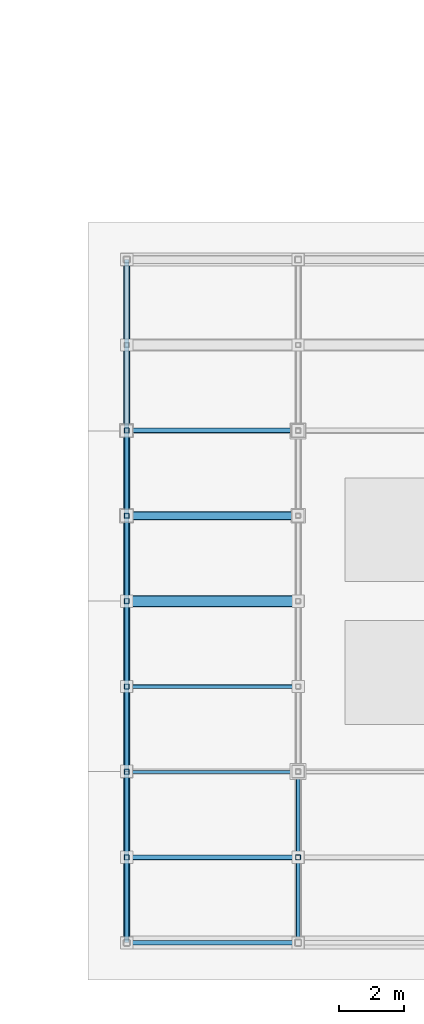
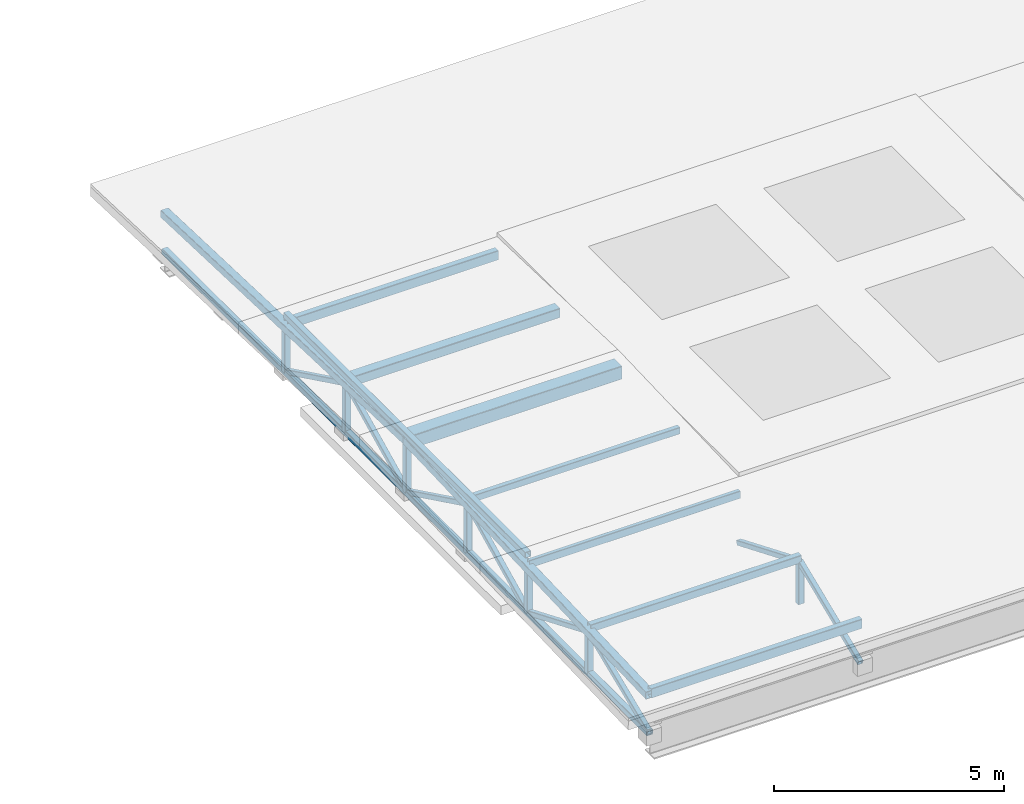
# One storey, part 1 of 25: 22 members, 4 beams.
"""IFC4 building model written with IfcOpenShell, lengths in metres."""

from ifc_helpers import new_model, si_unit, direction, frame, origin, origin_2d, place, context, subcontext, project, spatial, hollow_rectangle, extrude, material, material_profile, profile_set, type_object, element, save


model = new_model("IFC4")

# Units and contexts
model_context = context("Model", 3, precision=1e-05, world=origin(), true_north=direction((0.0, 1.0)))
body_context = subcontext(model_context, "Body", "Model", "MODEL_VIEW")
ifc_project = project(units=[si_unit("LENGTHUNIT", "METRE"), si_unit("AREAUNIT", "SQUARE_METRE"), si_unit("VOLUMEUNIT", "CUBIC_METRE"), si_unit("PLANEANGLEUNIT", "RADIAN"), si_unit("MASSUNIT", "GRAM", prefix="KILO"), si_unit("THERMODYNAMICTEMPERATUREUNIT", "KELVIN"), si_unit("POWERUNIT", "WATT")], contexts=[model_context])

# Site, building, storey
site_placement = place(None, origin())
site = spatial("IfcSite", under=ifc_project, at=site_placement, CompositionType="ELEMENT")
building_placement = place(site_placement, origin())
building = spatial("IfcBuilding", under=site, at=building_placement, Name="Zelmaris Science Centre", CompositionType="ELEMENT")
storey_placement = place(building_placement, frame((0.0, 0.0, 30.0)))
storey = spatial("IfcBuildingStorey", under=building, at=storey_placement, Name="RF", CompositionType="ELEMENT", Elevation=30.0)

# Beams
ifc_material = material(Name="Steel ASTM A500 Grade C", Category="steel")
ifc_material_profile_1 = material_profile(ifc_material, hollow_rectangle(XDim=0.203125, YDim=0.203125, WallThickness=0.01171875, InnerFilletRadius=0.01171875, OuterFilletRadius=0.023681640625, at=origin_2d()), Name="HSS203X203X13")
ifc_profile_set_1 = profile_set([ifc_material_profile_1], Name="Steel ASTM A500 Grade C")
beam_type_1 = type_object("IfcBeamType", Name="Beam G-20 HSS203X203X13", PredefinedType="BEAM", material=ifc_profile_set_1)
for number, where, z_axis, x_axis, name in (
    (1, (70.464111328125, 25.464111328125, 1.34814453125), (0.0, 0.99934977862, 0.036055789719), (-1.0, 0.0, 0.0), "RF-V2 Roof truss 1 south top chord"),
    (2, (70.464111328125, 36.0, 1.728271484375), (0.0, 0.99934977862, -0.036055789719), (-1.0, 0.0, 0.0), "RF-V2 Roof truss 1 north top chord"),
):
    element("IfcBeam", number, at=place(storey_placement, frame(where, z_axis=z_axis, x_axis=x_axis)), inside=storey, type_object=beam_type_1, Name=name, PredefinedType="BEAM", context=body_context, shape_type="SweptSolid", body=[
        extrude(hollow_rectangle(XDim=0.203125, YDim=0.203125, WallThickness=0.01171875, InnerFilletRadius=0.01171875, OuterFilletRadius=0.023681640625, at=origin_2d()), origin(), (0.0, 0.0, 1.0), 10.542724609375),
    ])
ifc_material_profile_2 = material_profile(ifc_material, hollow_rectangle(XDim=0.15234375, YDim=0.15234375, WallThickness=0.0087890625, InnerFilletRadius=0.0087890625, OuterFilletRadius=0.017822265625, at=origin_2d()), Name="HSS152X152X10")
ifc_profile_set_2 = profile_set([ifc_material_profile_2], Name="Steel ASTM A500 Grade C")
beam_type_2 = type_object("IfcBeamType", Name="Beam G-21 HSS152X152X10", PredefinedType="BEAM", material=ifc_profile_set_2)
beam_1_placement = place(storey_placement, frame((70.464111328125, 25.464111328125, 0.34814453125), z_axis=(0.0, 1.0, 0.0), x_axis=(-1.0, 0.0, 0.0)))
element("IfcBeam", 3, at=beam_1_placement, inside=storey, type_object=beam_type_2, Name="RF-V2 Roof truss 1 bottom chord", PredefinedType="BEAM", context=body_context, shape_type="SweptSolid", body=[
    extrude(hollow_rectangle(XDim=0.15234375, YDim=0.15234375, WallThickness=0.0087890625, InnerFilletRadius=0.0087890625, OuterFilletRadius=0.017822265625, at=origin_2d()), origin(), (0.0, 0.0, 1.0), 21.07177734375),
])
beam_2_placement = place(storey_placement, frame((70.464111328125, 30.75, 1.860107421875), z_axis=(0.0, 1.0, 0.0), x_axis=(-1.0, 0.0, 0.0)))
element("IfcBeam", 4, at=beam_2_placement, inside=storey, type_object=beam_type_2, Name="RF-V2 Lantern transverse header 1", PredefinedType="BEAM", context=body_context, shape_type="SweptSolid", body=[
    extrude(hollow_rectangle(XDim=0.15234375, YDim=0.15234375, WallThickness=0.0087890625, InnerFilletRadius=0.0087890625, OuterFilletRadius=0.017822265625, at=origin_2d()), origin(), (0.0, 0.0, 1.0), 10.5),
])

# Members
ifc_material_profile_3 = material_profile(ifc_material, hollow_rectangle(XDim=0.15234375, YDim=0.25390625, WallThickness=0.0087890625, InnerFilletRadius=0.0087890625, OuterFilletRadius=0.017822265625, at=origin_2d()), Name="HSS254X152X10")
ifc_profile_set_3 = profile_set([ifc_material_profile_3], Name="Steel ASTM A500 Grade C")
member_type_1 = type_object("IfcMemberType", Name="Roof Purlin PR-01 HSS254X152X10", PredefinedType="PURLIN", material=ifc_profile_set_3)
for number, where, z_axis, x_axis, name in (
    (5, (70.464111328125, 25.464111328125, 1.417724609375), (1.0, 0.0, 0.0), (0.0, 1.0, 0.0), "RF-V2 Roof purlin 1"),
    (6, (70.464111328125, 41.267822265625, 1.60791015625), (1.0, 0.0, 0.0), (0.0, 1.0, 0.0), "RF-V2 Roof purlin 7"),
):
    element("IfcMember", number, at=place(storey_placement, frame(where, z_axis=z_axis, x_axis=x_axis)), inside=storey, type_object=member_type_1, Name=name, PredefinedType="PURLIN", context=body_context, shape_type="SweptSolid", body=[
        extrude(hollow_rectangle(XDim=0.15234375, YDim=0.25390625, WallThickness=0.0087890625, InnerFilletRadius=0.0087890625, OuterFilletRadius=0.017822265625, at=origin_2d()), origin(), (0.0, 0.0, 1.0), 5.285888671875),
    ])
ifc_material_profile_4 = material_profile(ifc_material, hollow_rectangle(XDim=0.15234375, YDim=0.203125, WallThickness=0.0087890625, InnerFilletRadius=0.0087890625, OuterFilletRadius=0.017822265625, at=origin_2d()), Name="HSS203X152X10")
ifc_profile_set_4 = profile_set([ifc_material_profile_4], Name="Steel ASTM A500 Grade C")
member_type_2 = type_object("IfcMemberType", Name="Roof Purlin PR-02 HSS203X152X10", PredefinedType="PURLIN", material=ifc_profile_set_4)
member_1_placement = place(storey_placement, frame((70.464111328125, 28.09814453125, 1.5380859375), z_axis=(1.0, 0.0, 0.0), x_axis=(0.0, 1.0, 0.0)))
element("IfcMember", 7, at=member_1_placement, inside=storey, type_object=member_type_2, Name="RF-V2 Roof purlin 2", PredefinedType="PURLIN", context=body_context, shape_type="SweptSolid", body=[
    extrude(hollow_rectangle(XDim=0.15234375, YDim=0.203125, WallThickness=0.0087890625, InnerFilletRadius=0.0087890625, OuterFilletRadius=0.017822265625, at=origin_2d()), origin(), (0.0, 0.0, 1.0), 5.285888671875),
])
ifc_material_profile_5 = material_profile(ifc_material, hollow_rectangle(XDim=0.1015625, YDim=0.203125, WallThickness=0.00732421875, InnerFilletRadius=0.00732421875, OuterFilletRadius=0.014892578125, at=origin_2d()), Name="HSS203X102X8")
ifc_profile_set_5 = profile_set([ifc_material_profile_5], Name="Steel ASTM A500 Grade C")
member_type_3 = type_object("IfcMemberType", Name="Roof Purlin PR-03 HSS203X102X8", PredefinedType="PURLIN", material=ifc_profile_set_5)
member_2_placement = place(storey_placement, frame((70.464111328125, 30.73193359375, 1.63330078125), z_axis=(1.0, 0.0, 0.0), x_axis=(0.0, 1.0, 0.0)))
element("IfcMember", 8, at=member_2_placement, inside=storey, type_object=member_type_3, Name="RF-V2 Roof purlin 3", PredefinedType="PURLIN", context=body_context, shape_type="SweptSolid", body=[
    extrude(hollow_rectangle(XDim=0.1015625, YDim=0.203125, WallThickness=0.00732421875, InnerFilletRadius=0.00732421875, OuterFilletRadius=0.014892578125, at=origin_2d()), origin(), (0.0, 0.0, 1.0), 5.285888671875),
])
ifc_material_profile_6 = material_profile(ifc_material, hollow_rectangle(XDim=0.126953125, YDim=0.177734375, WallThickness=0.00732421875, InnerFilletRadius=0.00732421875, OuterFilletRadius=0.014892578125, at=origin_2d()), Name="HSS178X127X8")
ifc_profile_set_6 = profile_set([ifc_material_profile_6], Name="Steel ASTM A500 Grade C")
member_type_4 = type_object("IfcMemberType", Name="Roof Purlin PR-04 HSS178X127X8", PredefinedType="PURLIN", material=ifc_profile_set_6)
member_3_placement = place(storey_placement, frame((70.464111328125, 33.365966796875, 1.740966796875), z_axis=(1.0, 0.0, 0.0), x_axis=(0.0, 1.0, 0.0)))
element("IfcMember", 9, at=member_3_placement, inside=storey, type_object=member_type_4, Name="RF-V2 Roof purlin 4", PredefinedType="PURLIN", context=body_context, shape_type="SweptSolid", body=[
    extrude(hollow_rectangle(XDim=0.126953125, YDim=0.177734375, WallThickness=0.00732421875, InnerFilletRadius=0.00732421875, OuterFilletRadius=0.014892578125, at=origin_2d()), origin(), (0.0, 0.0, 1.0), 5.285888671875),
])
ifc_material_profile_7 = material_profile(ifc_material, hollow_rectangle(XDim=0.355712890625, YDim=0.355712890625, WallThickness=0.0146484375, InnerFilletRadius=0.0146484375, OuterFilletRadius=0.029296875, at=origin_2d()), Name="HSS356X356X16")
ifc_profile_set_7 = profile_set([ifc_material_profile_7], Name="Steel ASTM A500 Grade C")
member_type_5 = type_object("IfcMemberType", Name="Roof Purlin PR-08 HSS356X356X16", PredefinedType="PURLIN", material=ifc_profile_set_7)
member_4_placement = place(storey_placement, frame((70.464111328125, 36.0, 1.7470703125), z_axis=(1.0, 0.0, 0.0), x_axis=(0.0, 1.0, 0.0)))
element("IfcMember", 10, at=member_4_placement, inside=storey, type_object=member_type_5, Name="RF-V2 Roof purlin 5", PredefinedType="PURLIN", context=body_context, shape_type="SweptSolid", body=[
    extrude(hollow_rectangle(XDim=0.355712890625, YDim=0.355712890625, WallThickness=0.0146484375, InnerFilletRadius=0.0146484375, OuterFilletRadius=0.029296875, at=origin_2d()), origin(), (0.0, 0.0, 1.0), 5.285888671875),
])
ifc_material_profile_8 = material_profile(ifc_material, hollow_rectangle(XDim=0.25390625, YDim=0.25390625, WallThickness=0.01171875, InnerFilletRadius=0.01171875, OuterFilletRadius=0.023681640625, at=origin_2d()), Name="HSS254X254X13")
ifc_profile_set_8 = profile_set([ifc_material_profile_8], Name="Steel ASTM A500 Grade C")
member_type_6 = type_object("IfcMemberType", Name="Roof Purlin PR-09 HSS254X254X13", PredefinedType="PURLIN", material=ifc_profile_set_8)
member_5_placement = place(storey_placement, frame((70.464111328125, 38.634033203125, 1.702880859375), z_axis=(1.0, 0.0, 0.0), x_axis=(0.0, 1.0, 0.0)))
element("IfcMember", 11, at=member_5_placement, inside=storey, type_object=member_type_6, Name="RF-V2 Roof purlin 6", PredefinedType="PURLIN", context=body_context, shape_type="SweptSolid", body=[
    extrude(hollow_rectangle(XDim=0.25390625, YDim=0.25390625, WallThickness=0.01171875, InnerFilletRadius=0.01171875, OuterFilletRadius=0.023681640625, at=origin_2d()), origin(), (0.0, 0.0, 1.0), 5.285888671875),
])
ifc_material_profile_9 = material_profile(ifc_material, hollow_rectangle(XDim=0.15234375, YDim=0.15234375, WallThickness=0.0087890625, InnerFilletRadius=0.0087890625, OuterFilletRadius=0.017822265625, at=origin_2d()), Name="HSS152X152X10")
ifc_profile_set_9 = profile_set([ifc_material_profile_9], Name="Steel ASTM A500 Grade C")
member_type_7 = type_object("IfcMemberType", Name="Structural Brace BR-03 HSS152X152X10", PredefinedType="BRACE", material=ifc_profile_set_9)
member_6_placement = place(storey_placement, frame((70.464111328125, 28.09814453125, 0.34814453125), z_axis=(0.0, 0.0, 1.0), x_axis=(1.0, 0.0, 0.0)))
element("IfcMember", 12, at=member_6_placement, inside=storey, type_object=member_type_7, Name="RF-V2 Roof truss 1 vertical web 1", PredefinedType="BRACE", context=body_context, shape_type="SweptSolid", body=[
    extrude(hollow_rectangle(XDim=0.15234375, YDim=0.15234375, WallThickness=0.0087890625, InnerFilletRadius=0.0087890625, OuterFilletRadius=0.017822265625, at=origin_2d()), origin(), (0.0, 0.0, 1.0), 1.094970703125),
])
member_7_placement = place(storey_placement, frame((70.464111328125, 30.73193359375, 0.34814453125), z_axis=(0.0, 0.0, 1.0), x_axis=(1.0, 0.0, 0.0)))
element("IfcMember", 13, at=member_7_placement, inside=storey, type_object=member_type_7, Name="RF-V2 Roof truss 1 vertical web 2", PredefinedType="BRACE", context=body_context, shape_type="SweptSolid", body=[
    extrude(hollow_rectangle(XDim=0.15234375, YDim=0.15234375, WallThickness=0.0087890625, InnerFilletRadius=0.0087890625, OuterFilletRadius=0.017822265625, at=origin_2d()), origin(), (0.0, 0.0, 1.0), 1.18994140625),
])
member_8_placement = place(storey_placement, frame((70.464111328125, 33.365966796875, 0.34814453125), z_axis=(0.0, 0.0, 1.0), x_axis=(1.0, 0.0, 0.0)))
element("IfcMember", 14, at=member_8_placement, inside=storey, type_object=member_type_7, Name="RF-V2 Roof truss 1 vertical web 3", PredefinedType="BRACE", context=body_context, shape_type="SweptSolid", body=[
    extrude(hollow_rectangle(XDim=0.15234375, YDim=0.15234375, WallThickness=0.0087890625, InnerFilletRadius=0.0087890625, OuterFilletRadius=0.017822265625, at=origin_2d()), origin(), (0.0, 0.0, 1.0), 1.28515625),
])
member_9_placement = place(storey_placement, frame((70.464111328125, 36.0, 0.34814453125), z_axis=(0.0, 0.0, 1.0), x_axis=(1.0, 0.0, 0.0)))
element("IfcMember", 15, at=member_9_placement, inside=storey, type_object=member_type_7, Name="RF-V2 Roof truss 1 vertical web 4", PredefinedType="BRACE", context=body_context, shape_type="SweptSolid", body=[
    extrude(hollow_rectangle(XDim=0.15234375, YDim=0.15234375, WallThickness=0.0087890625, InnerFilletRadius=0.0087890625, OuterFilletRadius=0.017822265625, at=origin_2d()), origin(), (0.0, 0.0, 1.0), 1.380126953125),
])
member_10_placement = place(storey_placement, frame((70.464111328125, 38.634033203125, 0.34814453125), z_axis=(0.0, 0.0, 1.0), x_axis=(1.0, 0.0, 0.0)))
element("IfcMember", 16, at=member_10_placement, inside=storey, type_object=member_type_7, Name="RF-V2 Roof truss 1 vertical web 5", PredefinedType="BRACE", context=body_context, shape_type="SweptSolid", body=[
    extrude(hollow_rectangle(XDim=0.15234375, YDim=0.15234375, WallThickness=0.0087890625, InnerFilletRadius=0.0087890625, OuterFilletRadius=0.017822265625, at=origin_2d()), origin(), (0.0, 0.0, 1.0), 1.28515625),
])
member_11_placement = place(storey_placement, frame((70.464111328125, 41.267822265625, 0.34814453125), z_axis=(0.0, 0.0, 1.0), x_axis=(1.0, 0.0, 0.0)))
element("IfcMember", 17, at=member_11_placement, inside=storey, type_object=member_type_7, Name="RF-V2 Roof truss 1 vertical web 6", PredefinedType="BRACE", context=body_context, shape_type="SweptSolid", body=[
    extrude(hollow_rectangle(XDim=0.15234375, YDim=0.15234375, WallThickness=0.0087890625, InnerFilletRadius=0.0087890625, OuterFilletRadius=0.017822265625, at=origin_2d()), origin(), (0.0, 0.0, 1.0), 1.18994140625),
])
member_12_placement = place(storey_placement, frame((75.75, 28.09814453125, 0.34814453125), z_axis=(0.0, 0.0, 1.0), x_axis=(1.0, 0.0, 0.0)))
element("IfcMember", 18, at=member_12_placement, inside=storey, type_object=member_type_7, Name="RF-V2 Roof truss 2 vertical web 1", PredefinedType="BRACE", context=body_context, shape_type="SweptSolid", body=[
    extrude(hollow_rectangle(XDim=0.15234375, YDim=0.15234375, WallThickness=0.0087890625, InnerFilletRadius=0.0087890625, OuterFilletRadius=0.017822265625, at=origin_2d()), origin(), (0.0, 0.0, 1.0), 1.094970703125),
])
ifc_material_profile_10 = material_profile(ifc_material, hollow_rectangle(XDim=0.126953125, YDim=0.126953125, WallThickness=0.00732421875, InnerFilletRadius=0.00732421875, OuterFilletRadius=0.014892578125, at=origin_2d()), Name="HSS127X127X8")
ifc_profile_set_10 = profile_set([ifc_material_profile_10], Name="Steel ASTM A500 Grade C")
member_type_8 = type_object("IfcMemberType", Name="Structural Brace BR-04 HSS127X127X8", PredefinedType="BRACE", material=ifc_profile_set_10)
member_13_placement = place(storey_placement, frame((70.464111328125, 25.464111328125, 0.34814453125), z_axis=(0.0, 0.923393128755, 0.383855610572), x_axis=(-1.0, 0.0, 0.0)))
element("IfcMember", 19, at=member_13_placement, inside=storey, type_object=member_type_8, Name="RF-V2 Roof truss 1 web diagonal 1", PredefinedType="BRACE", context=body_context, shape_type="SweptSolid", body=[
    extrude(hollow_rectangle(XDim=0.126953125, YDim=0.126953125, WallThickness=0.00732421875, InnerFilletRadius=0.00732421875, OuterFilletRadius=0.014892578125, at=origin_2d()), origin(), (0.0, 0.0, 1.0), 2.8525390625),
])
member_14_placement = place(storey_placement, frame((70.464111328125, 28.09814453125, 1.443115234375), z_axis=(0.0, 0.923380516501, -0.383885948879), x_axis=(-1.0, 0.0, 0.0)))
element("IfcMember", 20, at=member_14_placement, inside=storey, type_object=member_type_8, Name="RF-V2 Roof truss 1 web diagonal 2", PredefinedType="BRACE", context=body_context, shape_type="SweptSolid", body=[
    extrude(hollow_rectangle(XDim=0.126953125, YDim=0.126953125, WallThickness=0.00732421875, InnerFilletRadius=0.00732421875, OuterFilletRadius=0.014892578125, at=origin_2d()), origin(), (0.0, 0.0, 1.0), 2.852294921875),
])
for number, where, z_axis, x_axis, name in (
    (21, (70.464111328125, 30.73193359375, 0.34814453125), (0.0, 0.898733216997, 0.438495843384), (-1.0, 0.0, 0.0), "RF-V2 Roof truss 1 web diagonal 3"),
    (22, (70.464111328125, 33.365966796875, 1.63330078125), (0.0, 0.898733216997, -0.438495843384), (-1.0, 0.0, 0.0), "RF-V2 Roof truss 1 web diagonal 4"),
    (23, (70.464111328125, 36.0, 0.34814453125), (0.0, 0.898733216997, 0.438495843384), (-1.0, 0.0, 0.0), "RF-V2 Roof truss 1 web diagonal 5"),
):
    element("IfcMember", number, at=place(storey_placement, frame(where, z_axis=z_axis, x_axis=x_axis)), inside=storey, type_object=member_type_8, Name=name, PredefinedType="BRACE", context=body_context, shape_type="SweptSolid", body=[
        extrude(hollow_rectangle(XDim=0.126953125, YDim=0.126953125, WallThickness=0.00732421875, InnerFilletRadius=0.00732421875, OuterFilletRadius=0.014892578125, at=origin_2d()), origin(), (0.0, 0.0, 1.0), 2.930908203125),
    ])
member_15_placement = place(storey_placement, frame((70.464111328125, 38.634033203125, 1.63330078125), z_axis=(0.0, 0.898717198221, -0.438528673659), x_axis=(-1.0, 0.0, 0.0)))
element("IfcMember", 24, at=member_15_placement, inside=storey, type_object=member_type_8, Name="RF-V2 Roof truss 1 web diagonal 6", PredefinedType="BRACE", context=body_context, shape_type="SweptSolid", body=[
    extrude(hollow_rectangle(XDim=0.126953125, YDim=0.126953125, WallThickness=0.00732421875, InnerFilletRadius=0.00732421875, OuterFilletRadius=0.014892578125, at=origin_2d()), origin(), (0.0, 0.0, 1.0), 2.9306640625),
])
member_16_placement = place(storey_placement, frame((75.75, 25.464111328125, 0.34814453125), z_axis=(0.0, 0.923393128755, 0.383855610572), x_axis=(-1.0, 0.0, 0.0)))
element("IfcMember", 25, at=member_16_placement, inside=storey, type_object=member_type_8, Name="RF-V2 Roof truss 2 web diagonal 1", PredefinedType="BRACE", context=body_context, shape_type="SweptSolid", body=[
    extrude(hollow_rectangle(XDim=0.126953125, YDim=0.126953125, WallThickness=0.00732421875, InnerFilletRadius=0.00732421875, OuterFilletRadius=0.014892578125, at=origin_2d()), origin(), (0.0, 0.0, 1.0), 2.8525390625),
])
member_17_placement = place(storey_placement, frame((75.75, 28.09814453125, 1.443115234375), z_axis=(0.0, 0.923380516501, -0.383885948879), x_axis=(-1.0, 0.0, 0.0)))
element("IfcMember", 26, at=member_17_placement, inside=storey, type_object=member_type_8, Name="RF-V2 Roof truss 2 web diagonal 2", PredefinedType="BRACE", context=body_context, shape_type="SweptSolid", body=[
    extrude(hollow_rectangle(XDim=0.126953125, YDim=0.126953125, WallThickness=0.00732421875, InnerFilletRadius=0.00732421875, OuterFilletRadius=0.014892578125, at=origin_2d()), origin(), (0.0, 0.0, 1.0), 2.852294921875),
])

save(model, "model.ifc")
